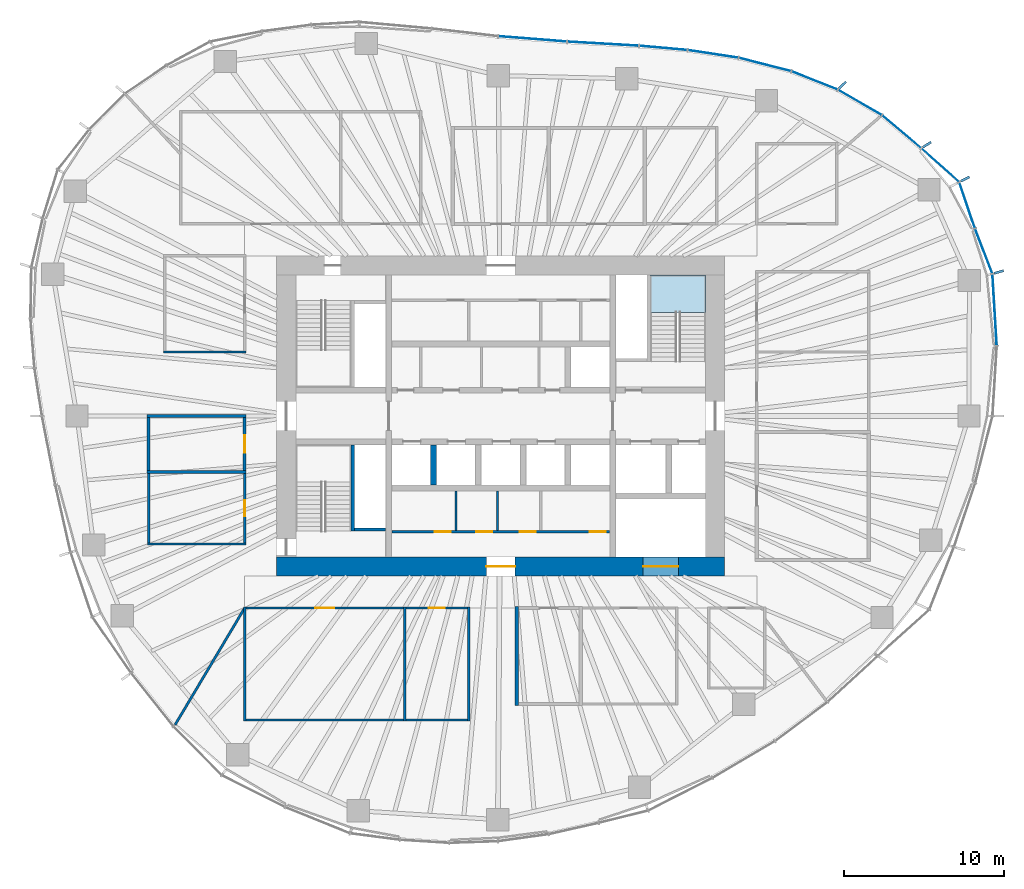
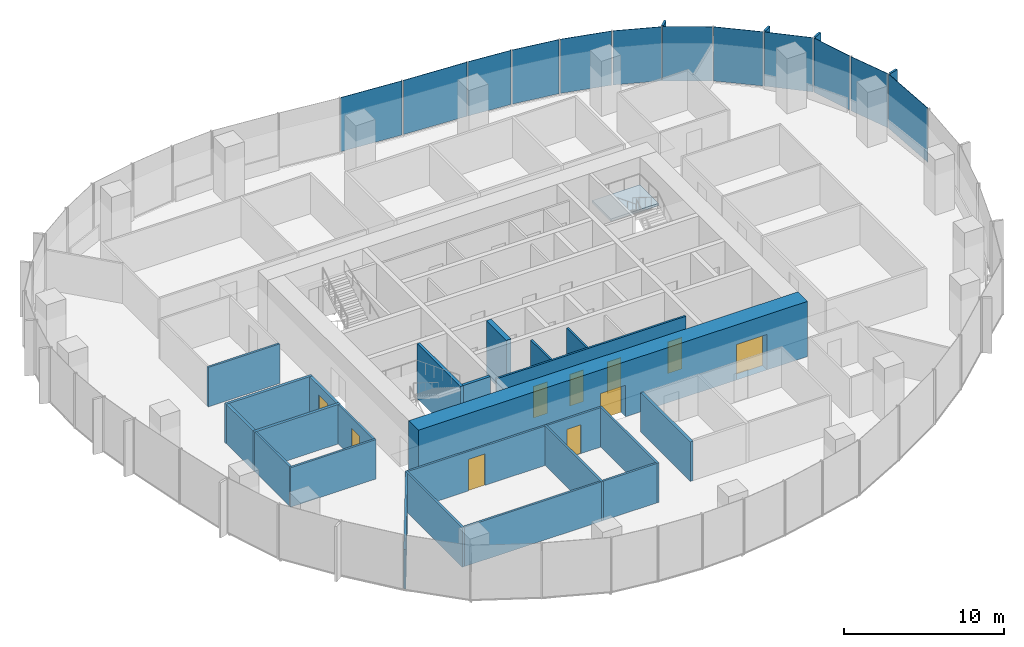
# One storey, part 8 of 18: 24 walls, 16 plates, 10 doors, 1 slab, 10 openings, 6 elements without a shape of their own.
"""IFC4 building model written with IfcOpenShell, lengths in metres."""

from ifc_helpers import new_model, si_unit, direction, frame, frame_2d, origin, origin_2d, place, context, subcontext, project, spatial, polyline, rectangle, outline, extrude, material, layer, layer_set, type_object, element, fill, aggregate, save


model = new_model("IFC4")

# Units and contexts
model_context = context("Model", 3, precision=1e-05, world=origin(), true_north=direction((0.0, 1.0)))
body_context = subcontext(model_context, "Body", "Model", "MODEL_VIEW")
ifc_project = project(units=[si_unit("LENGTHUNIT", "METRE"), si_unit("AREAUNIT", "SQUARE_METRE"), si_unit("VOLUMEUNIT", "CUBIC_METRE"), si_unit("PLANEANGLEUNIT", "RADIAN"), si_unit("MASSUNIT", "GRAM", prefix="KILO")], contexts=[model_context])

# Site, building, storey
site_placement = place(None, origin())
site = spatial("IfcSite", under=ifc_project, at=site_placement, CompositionType="ELEMENT")
building_placement = place(site_placement, origin())
building = spatial("IfcBuilding", under=site, at=building_placement, Name="Ghaith Harvest Tower", CompositionType="ELEMENT")
storey_placement = place(building_placement, frame((0.0, 0.0, 163.800048828125)))
storey = spatial("IfcBuildingStorey", under=building, at=storey_placement, Name="L35", CompositionType="ELEMENT", Elevation=163.800048828125)

# Curtain wall, plate
ifc_material_1 = material(Name="Black anodised aluminium and fritted glass", Category="aluminium")
curtain_wall_type = type_object("IfcCurtainWallType", Name="CW-L CURTAIN WALL", PredefinedType="NOTDEFINED", material=ifc_material_1)
curtain_wall_1_placement = place(storey_placement, origin())
curtain_wall_1 = element("IfcCurtainWall", 1, at=curtain_wall_1_placement, inside=storey, type_object=curtain_wall_type, Name="Curtain wall CW-L bay 01 L35", PredefinedType="NOTDEFINED")
ifc_material_2 = material(Name="Glass, dark solar-control fritted double glazed unit", Category="glass")
ifc_layer_1 = layer(ifc_material_2, 0.031982421875)
ifc_layer_set_1 = layer_set([ifc_layer_1], Name="CW-L VISION PANEL")
plate_type_1 = type_object("IfcPlateType", Name="CW-L VISION PANEL", PredefinedType="CURTAIN_PANEL", material=ifc_layer_set_1)
plate_1_placement = place(storey_placement, frame((30.863037109375, 6.63525390625, 0.079833984375), z_axis=(0.0, 0.0, 1.0), x_axis=(-0.060320650032, 0.998179051663, 0.0)))
plate_1 = element("IfcPlate", 2, at=plate_1_placement, type_object=plate_type_1, Name="CW-L glass unit 2 bay 01 L35", PredefinedType="CURTAIN_PANEL", context=body_context, shape_type="SweptSolid", body=[
    extrude(rectangle(XDim=4.419189453125, YDim=0.031982421875, at=origin_2d()), origin(), (0.0, 0.0, 1.0), 4.1201171875),
])
aggregate(curtain_wall_1, [plate_1])

# Curtain wall, plates
curtain_wall_2_placement = place(storey_placement, origin())
curtain_wall_2 = element("IfcCurtainWall", 3, at=curtain_wall_2_placement, inside=storey, type_object=curtain_wall_type, Name="Curtain wall CW-L bay 02 L35", PredefinedType="NOTDEFINED")
plate_2_placement = place(storey_placement, frame((30.180908203125, 10.29833984375, 0.079833984375), z_axis=(0.0, 0.0, 1.0), x_axis=(-0.359676824997, 0.933076943001, 0.0)))
plate_2 = element("IfcPlate", 4, at=plate_2_placement, type_object=plate_type_1, Name="CW-L glass unit 1 bay 02 L35", PredefinedType="CURTAIN_PANEL", context=body_context, shape_type="SweptSolid", body=[
    extrude(rectangle(XDim=2.95849609375, YDim=0.031982421875, at=origin_2d()), origin(), (0.0, 0.0, 1.0), 4.1201171875),
])
plate_3_placement = place(storey_placement, frame((29.142333984375, 13.163818359375, 0.079833984375), z_axis=(0.0, 0.0, 1.0), x_axis=(-0.321853304376, 0.946789549194, 0.0)))
plate_3 = element("IfcPlate", 5, at=plate_3_placement, type_object=plate_type_1, Name="CW-L glass unit 2 bay 02 L35", PredefinedType="CURTAIN_PANEL", context=body_context, shape_type="SweptSolid", body=[
    extrude(rectangle(XDim=2.978759765625, YDim=0.031982421875, at=origin_2d()), origin(), (0.0, 0.0, 1.0), 4.1201171875),
])
plate_4_placement = place(storey_placement, frame((27.46533203125, 15.668701171875, 0.079833984375), z_axis=(0.0, 0.0, 1.0), x_axis=(-0.746250544556, 0.665665174656, 0.0)))
plate_4 = element("IfcPlate", 6, at=plate_4_placement, type_object=plate_type_1, Name="CW-L glass unit 3 bay 02 L35", PredefinedType="CURTAIN_PANEL", context=body_context, shape_type="SweptSolid", body=[
    extrude(rectangle(XDim=3.094970703125, YDim=0.031982421875, at=origin_2d()), origin(), (0.0, 0.0, 1.0), 4.1201171875),
])
aggregate(curtain_wall_2, [plate_2, plate_3, plate_4])

curtain_wall_3_placement = place(storey_placement, origin())
curtain_wall_3 = element("IfcCurtainWall", 7, at=curtain_wall_3_placement, inside=storey, type_object=curtain_wall_type, Name="Curtain wall CW-L bay 03 L35", PredefinedType="NOTDEFINED")
plate_5_placement = place(storey_placement, frame((25.05126953125, 17.7587890625, 0.079833984375), z_axis=(0.0, 0.0, 1.0), x_axis=(-0.765473064857, 0.643467937801, 0.0)))
plate_5 = element("IfcPlate", 8, at=plate_5_placement, type_object=plate_type_1, Name="CW-L glass unit 1 bay 03 L35", PredefinedType="CURTAIN_PANEL", context=body_context, shape_type="SweptSolid", body=[
    extrude(rectangle(XDim=3.13232421875, YDim=0.031982421875, at=origin_2d()), origin(), (0.0, 0.0, 1.0), 4.1201171875),
])
plate_6_placement = place(storey_placement, frame((22.444091796875, 19.590576171875, 0.079833984375), z_axis=(0.0, 0.0, 1.0), x_axis=(-0.865232087993, 0.501371552751, 0.0)))
plate_6 = element("IfcPlate", 9, at=plate_6_placement, type_object=plate_type_1, Name="CW-L glass unit 2 bay 03 L35", PredefinedType="CURTAIN_PANEL", context=body_context, shape_type="SweptSolid", body=[
    extrude(rectangle(XDim=3.10498046875, YDim=0.031982421875, at=origin_2d()), origin(), (0.0, 0.0, 1.0), 4.1201171875),
])
plate_7_placement = place(storey_placement, frame((19.6142578125, 20.963623046875, 0.079833984375), z_axis=(0.0, 0.0, 1.0), x_axis=(-0.929876534019, 0.367871759558, 0.0)))
plate_7 = element("IfcPlate", 10, at=plate_7_placement, type_object=plate_type_1, Name="CW-L glass unit 3 bay 03 L35", PredefinedType="CURTAIN_PANEL", context=body_context, shape_type="SweptSolid", body=[
    extrude(rectangle(XDim=3.042724609375, YDim=0.031982421875, at=origin_2d()), origin(), (0.0, 0.0, 1.0), 4.1201171875),
])
aggregate(curtain_wall_3, [plate_5, plate_6, plate_7])

curtain_wall_4_placement = place(storey_placement, origin())
curtain_wall_4 = element("IfcCurtainWall", 11, at=curtain_wall_4_placement, inside=storey, type_object=curtain_wall_type, Name="Curtain wall CW-L bay 04 L35", PredefinedType="NOTDEFINED")
plate_8_placement = place(storey_placement, frame((16.513427734375, 21.958740234375, 0.079833984375), z_axis=(0.0, 0.0, 1.0), x_axis=(-0.96893110987, 0.247330758955, 0.0)))
plate_8 = element("IfcPlate", 12, at=plate_8_placement, type_object=plate_type_1, Name="CW-L glass unit 1 bay 04 L35", PredefinedType="CURTAIN_PANEL", context=body_context, shape_type="SweptSolid", body=[
    extrude(rectangle(XDim=3.3232421875, YDim=0.031982421875, at=origin_2d()), origin(), (0.0, 0.0, 1.0), 4.1201171875),
])
plate_9_placement = place(storey_placement, frame((13.2685546875, 22.621826171875, 0.079833984375), z_axis=(0.0, 0.0, 1.0), x_axis=(-0.988678736369, 0.150047846542, 0.0)))
plate_9 = element("IfcPlate", 13, at=plate_9_placement, type_object=plate_type_1, Name="CW-L glass unit 2 bay 04 L35", PredefinedType="CURTAIN_PANEL", context=body_context, shape_type="SweptSolid", body=[
    extrude(rectangle(XDim=3.14892578125, YDim=0.031982421875, at=origin_2d()), origin(), (0.0, 0.0, 1.0), 4.1201171875),
])
plate_10_placement = place(storey_placement, frame((10.15966796875, 22.9970703125, 0.079833984375), z_axis=(0.0, 0.0, 1.0), x_axis=(-0.996166190972, 0.087480969151, 0.0)))
plate_10 = element("IfcPlate", 14, at=plate_10_placement, type_object=plate_type_1, Name="CW-L glass unit 3 bay 04 L35", PredefinedType="CURTAIN_PANEL", context=body_context, shape_type="SweptSolid", body=[
    extrude(rectangle(XDim=2.957275390625, YDim=0.031982421875, at=origin_2d()), origin(), (0.0, 0.0, 1.0), 4.1201171875),
])
aggregate(curtain_wall_4, [plate_8, plate_9, plate_10])

curtain_wall_5_placement = place(storey_placement, origin())
curtain_wall_5 = element("IfcCurtainWall", 15, at=curtain_wall_5_placement, inside=storey, type_object=curtain_wall_type, Name="Curtain wall CW-L bay 05 L35", PredefinedType="NOTDEFINED")
plate_11_placement = place(storey_placement, frame((6.396728515625, 23.260498046875, 0.079833984375), z_axis=(0.0, 0.0, 1.0), x_axis=(-0.998320798751, 0.05792739233, 0.0)))
plate_11 = element("IfcPlate", 16, at=plate_11_placement, type_object=plate_type_1, Name="CW-L glass unit 1 bay 05 L35", PredefinedType="CURTAIN_PANEL", context=body_context, shape_type="SweptSolid", body=[
    extrude(rectangle(XDim=4.427734375, YDim=0.031982421875, at=origin_2d()), origin(), (0.0, 0.0, 1.0), 4.1201171875),
])
plate_12_placement = place(storey_placement, frame((1.9921875, 23.560302734375, 0.079833984375), z_axis=(0.0, 0.0, 1.0), x_axis=(-0.996925121312, 0.078360082291, 0.0)))
plate_12 = element("IfcPlate", 17, at=plate_12_placement, type_object=plate_type_1, Name="CW-L glass unit 2 bay 05 L35", PredefinedType="CURTAIN_PANEL", context=body_context, shape_type="SweptSolid", body=[
    extrude(rectangle(XDim=4.242431640625, YDim=0.031982421875, at=origin_2d()), origin(), (0.0, 0.0, 1.0), 4.1201171875),
])
aggregate(curtain_wall_5, [plate_11, plate_12])

# Stair, slab
ifc_material_3 = material(Name="Concrete C40/50, precast", Category="concrete")
stair_type = type_object("IfcStairType", Name="CORE STAIR 24R", PredefinedType="HALF_TURN_STAIR", material=ifc_material_3)
stair_placement = place(storey_placement, origin())
stair = element("IfcStair", 18, at=stair_placement, inside=storey, type_object=stair_type, Name="Stair ST2 L35", PredefinedType="HALF_TURN_STAIR")
ifc_material_4 = material(Name="Concrete C40/50, precast", Category="concrete")
ifc_layer_2 = layer(ifc_material_4, 0.179931640625)
ifc_layer_set_2 = layer_set([ifc_layer_2], Name="STAIR LANDING 180")
slab_type = type_object("IfcSlabType", Name="STAIR LANDING 180", PredefinedType="LANDING", material=ifc_layer_set_2)
slab_placement = place(storey_placement, frame((0.0, 0.0, 1.919921875)))
slab = element("IfcSlab", 19, at=slab_placement, type_object=slab_type, Name="ST2 landing 1", PredefinedType="LANDING", context=body_context, shape_type="SweptSolid", body=[
    extrude(outline(polyline([(12.800048828125, 6.4599609375), (12.800048828125, 8.800048828125), (9.35009765625, 8.800048828125), (9.35009765625, 6.4599609375), (12.800048828125, 6.4599609375)])), origin(), (0.0, 0.0, 1.0), 0.179931640625),
])
aggregate(stair, [slab])

# Plates
ifc_material_5 = material(Name="Glassfibre-reinforced concrete", Category="concrete")
ifc_layer_3 = layer(ifc_material_5, 0.14990234375)
ifc_layer_set_3 = layer_set([ifc_layer_3], Name="SUN-BREAKER FIN 600x150")
plate_type_2 = type_object("IfcPlateType", Name="SUN-BREAKER FIN 600x150", PredefinedType="USERDEFINED", material=ifc_layer_set_3)
for number, where, z_axis, x_axis, name in (
    (20, (31.130859375, 8.99755859375, 0.0), (0.0, 0.0, 1.0), (0.960680349985, 0.277656739792, 0.0), "Sun-breaker fin CW-L 1 bay 02 L35"),
    (21, (29.024169921875, 14.802734375, 0.0), (0.0, 0.0, 1.0), (0.890830752257, 0.454335306611, 0.0), "Sun-breaker fin CW-L 3 bay 02 L35"),
    (22, (26.635009765625, 16.95068359375, 0.0), (0.0, 0.0, 1.0), (0.843643971464, 0.536903016766, 0.0), "Sun-breaker fin CW-L 1 bay 03 L35"),
    (23, (21.367919921875, 20.68115234375, 0.0), (0.0, 0.0, 1.0), (0.7185589652, 0.69546604053, 0.0), "Sun-breaker fin CW-L 3 bay 03 L35"),
):
    element("IfcPlate", number, at=place(storey_placement, frame(where, z_axis=z_axis, x_axis=x_axis)), inside=storey, type_object=plate_type_2, Name=name, ObjectType="SUN-BREAKER FIN", PredefinedType="USERDEFINED", context=body_context, shape_type="SweptSolid", body=[
        extrude(rectangle(XDim=0.60009765625, YDim=0.14990234375, at=origin_2d()), origin(), (0.0, 0.0, 1.0), 4.199951171875),
    ])

# Walls
ifc_material_6 = material(Name="Twin-stud gypsum board, acoustic", Category="gypsum")
ifc_layer_4 = layer(ifc_material_6, 0.199951171875)
ifc_layer_set_4 = layer_set([ifc_layer_4], Name="ACOUSTIC PARTITION 200")
wall_type_1 = type_object("IfcWallType", Name="ACOUSTIC PARTITION 200", PredefinedType="PARTITIONING", material=ifc_layer_set_4)
for number, where, z_axis, x_axis, name in (
    (24, (1.0, -11.89990234375, 0.0), (0.0, 0.0, 1.0), (0.0, -1.0, 0.0), "Partition L35 row S2 cross wall 1"),
    (25, (-15.89990234375, -3.5, 0.0), (0.0, 0.0, 1.0), (-1.0, 0.0, 0.0), "Partition L35 row W6 cross wall 2"),
    (26, (-15.89990234375, 0.0, 0.0), (0.0, 0.0, 1.0), (-1.0, 0.0, 0.0), "Partition L35 row W6 cross wall 3"),
):
    element("IfcWall", number, at=place(storey_placement, frame(where, z_axis=z_axis, x_axis=x_axis)), inside=storey, type_object=wall_type_1, Name=name, PredefinedType="PARTITIONING", context=body_context, shape_type="SweptSolid", body=[
        extrude(rectangle(XDim=6.2001953125, YDim=0.199951171875, at=frame_2d((3.10009765625, 0.0))), origin(), (0.0, 0.0, 1.0), 3.0),
    ])

# Wall, opening, door
wall_1_placement = place(storey_placement, frame((-16.0, -3.39990234375, 0.0), z_axis=(0.0, 0.0, 1.0), x_axis=(0.0, 1.0, 0.0)))
wall_1 = element("IfcWall", 27, at=wall_1_placement, inside=storey, type_object=wall_type_1, Name="Partition L35-14", PredefinedType="PARTITIONING", context=body_context, shape_type="SweptSolid", body=[
    extrude(rectangle(XDim=3.2998046875, YDim=0.199951171875, at=frame_2d((1.64990234375, 0.0))), origin(), (0.0, 0.0, 1.0), 3.0),
])
opening_1_placement = place(wall_1_placement, frame((1.10009765625, 0.0, 0.0)))
opening_1 = element("IfcOpeningElement", 28, at=opening_1_placement, cuts=wall_1, Name="Opening 35-042", PredefinedType="OPENING", context=body_context, shape_type="SweptSolid", body=[
    extrude(rectangle(XDim=1.10009765625, YDim=2.300048828125, at=frame_2d((0.550048828125, 1.14990234375))), frame((0.0, 0.10986328125, 0.0), z_axis=(0.0, -1.0, 0.0), x_axis=(1.0, 0.0, 0.0)), (0.0, 0.0, 1.0), 0.219970703125),
])
ifc_material_7 = material(Name="Timber-framed glazed door", Category="wood")
door_type_1 = type_object("IfcDoorType", Name="D12 GLAZED OFFICE 1100x2300", OperationType="SINGLE_SWING_LEFT", PredefinedType="DOOR", material=ifc_material_7)
door_1_placement = place(opening_1_placement, origin())
door_1 = element("IfcDoor", 29, at=door_1_placement, inside=storey, type_object=door_type_1, Name="Quiet room door", OperationType="SINGLE_SWING_LEFT", OverallHeight=2.300048828125, OverallWidth=1.10009765625, PredefinedType="DOOR", context=body_context, shape_type="SweptSolid", body=[
    extrude(rectangle(XDim=1.10009765625, YDim=2.300048828125, at=frame_2d((0.550048828125, 1.14990234375))), frame((0.0, 0.02490234375, 0.0), z_axis=(0.0, -1.0, 0.0), x_axis=(1.0, 0.0, 0.0)), (0.0, 0.0, 1.0), 0.050048828125),
])
fill(opening_1, door_1)

# Wall
wall_2_placement = place(storey_placement, frame((-22.0, -3.39990234375, 0.0), z_axis=(0.0, 0.0, 1.0), x_axis=(0.0, 1.0, 0.0)))
element("IfcWall", 30, at=wall_2_placement, inside=storey, type_object=wall_type_1, Name="Partition L35-14", PredefinedType="PARTITIONING", context=body_context, shape_type="SweptSolid", body=[
    extrude(rectangle(XDim=3.2998046875, YDim=0.199951171875, at=frame_2d((1.64990234375, 0.0))), origin(), (0.0, 0.0, 1.0), 3.0),
])

# Wall, openings, doors
ifc_material_8 = material(Name="Concrete blockwork, fair-faced", Category="masonry")
ifc_layer_5 = layer(ifc_material_8, 0.139892578125)
ifc_layer_set_5 = layer_set([ifc_layer_5], Name="CORE PARTITION 140")
wall_type_2 = type_object("IfcWallType", Name="CORE PARTITION 140", PredefinedType="PARTITIONING", material=ifc_layer_set_5)
wall_3_placement = place(storey_placement, frame((-6.800048828125, -7.22998046875, 0.0), z_axis=(0.0, 0.0, 1.0), x_axis=(1.0, 0.0, 0.0)))
wall_3 = element("IfcWall", 31, at=wall_3_placement, inside=storey, type_object=wall_type_2, Name="Core partition L35", PredefinedType="PARTITIONING", context=body_context, shape_type="SweptSolid", body=[
    extrude(rectangle(XDim=13.60009765625, YDim=0.139892578125, at=frame_2d((6.800048828125, 0.0))), origin(), (0.0, 0.0, 1.0), 3.949951171875),
])
opening_2_placement = place(wall_3_placement, frame((2.679931640625, 0.0, 0.0)))
opening_2 = element("IfcOpeningElement", 32, at=opening_2_placement, cuts=wall_3, Name="Opening 35-012", PredefinedType="OPENING", context=body_context, shape_type="SweptSolid", body=[
    extrude(rectangle(XDim=1.0, YDim=2.39990234375, at=frame_2d((0.5, 1.199951171875))), frame((0.0, 0.080078125, 0.0), z_axis=(0.0, -1.0, 0.0), x_axis=(1.0, 0.0, 0.0)), (0.0, 0.0, 1.0), 0.159912109375),
])
opening_3_placement = place(wall_3_placement, frame((5.280029296875, 0.0, 0.0)))
opening_3 = element("IfcOpeningElement", 33, at=opening_3_placement, cuts=wall_3, Name="Opening 35-013", PredefinedType="OPENING", context=body_context, shape_type="SweptSolid", body=[
    extrude(rectangle(XDim=1.0, YDim=2.39990234375, at=frame_2d((0.5, 1.199951171875))), frame((0.0, 0.080078125, 0.0), z_axis=(0.0, -1.0, 0.0), x_axis=(1.0, 0.0, 0.0)), (0.0, 0.0, 1.0), 0.159912109375),
])
opening_4_placement = place(wall_3_placement, frame((7.97998046875, 0.0, 0.0)))
opening_4 = element("IfcOpeningElement", 34, at=opening_4_placement, cuts=wall_3, Name="Opening 35-014", PredefinedType="OPENING", context=body_context, shape_type="SweptSolid", body=[
    extrude(rectangle(XDim=1.0, YDim=2.39990234375, at=frame_2d((0.5, 1.199951171875))), frame((0.0, 0.080078125, 0.0), z_axis=(0.0, -1.0, 0.0), x_axis=(1.0, 0.0, 0.0)), (0.0, 0.0, 1.0), 0.159912109375),
])
opening_5_placement = place(wall_3_placement, frame((12.35009765625, 0.0, 0.0)))
opening_5 = element("IfcOpeningElement", 35, at=opening_5_placement, cuts=wall_3, Name="Opening 35-015", PredefinedType="OPENING", context=body_context, shape_type="SweptSolid", body=[
    extrude(rectangle(XDim=1.0, YDim=2.39990234375, at=frame_2d((0.5, 1.199951171875))), frame((0.0, 0.080078125, 0.0), z_axis=(0.0, -1.0, 0.0), x_axis=(1.0, 0.0, 0.0)), (0.0, 0.0, 1.0), 0.159912109375),
])
ifc_material_9 = material(Name="Steel fire door", Category="steel")
door_type_2 = type_object("IfcDoorType", Name="D3 FD90 1000x2400", OperationType="SINGLE_SWING_LEFT", PredefinedType="DOOR", material=ifc_material_9)
door_2_placement = place(opening_2_placement, origin())
door_2 = element("IfcDoor", 36, at=door_2_placement, inside=storey, type_object=door_type_2, Name="Electrical room door", OperationType="SINGLE_SWING_LEFT", OverallHeight=2.39990234375, OverallWidth=1.0, PredefinedType="DOOR", context=body_context, shape_type="SweptSolid", body=[
    extrude(rectangle(XDim=1.0, YDim=2.39990234375, at=frame_2d((0.5, 1.199951171875))), frame((0.0, 0.02490234375, 0.0), z_axis=(0.0, -1.0, 0.0), x_axis=(1.0, 0.0, 0.0)), (0.0, 0.0, 1.0), 0.050048828125),
])
fill(opening_2, door_2)
door_3_placement = place(opening_3_placement, origin())
door_3 = element("IfcDoor", 37, at=door_3_placement, inside=storey, type_object=door_type_2, Name="Communications equipment room door", OperationType="SINGLE_SWING_LEFT", OverallHeight=2.39990234375, OverallWidth=1.0, PredefinedType="DOOR", context=body_context, shape_type="SweptSolid", body=[
    extrude(rectangle(XDim=1.0, YDim=2.39990234375, at=frame_2d((0.5, 1.199951171875))), frame((0.0, 0.02490234375, 0.0), z_axis=(0.0, -1.0, 0.0), x_axis=(1.0, 0.0, 0.0)), (0.0, 0.0, 1.0), 0.050048828125),
])
fill(opening_3, door_3)
door_4_placement = place(opening_4_placement, origin())
door_4 = element("IfcDoor", 38, at=door_4_placement, inside=storey, type_object=door_type_2, Name="Staff WC door", OperationType="SINGLE_SWING_RIGHT", OverallHeight=2.39990234375, OverallWidth=1.0, PredefinedType="DOOR", context=body_context, shape_type="SweptSolid", body=[
    extrude(rectangle(XDim=1.0, YDim=2.39990234375, at=frame_2d((0.5, 1.199951171875))), frame((0.0, 0.02490234375, 0.0), z_axis=(0.0, -1.0, 0.0), x_axis=(1.0, 0.0, 0.0)), (0.0, 0.0, 1.0), 0.050048828125),
])
fill(opening_4, door_4)
door_5_placement = place(opening_5_placement, origin())
door_5 = element("IfcDoor", 39, at=door_5_placement, inside=storey, type_object=door_type_2, Name="Riser room door", OperationType="SINGLE_SWING_RIGHT", OverallHeight=2.39990234375, OverallWidth=1.0, PredefinedType="DOOR", context=body_context, shape_type="SweptSolid", body=[
    extrude(rectangle(XDim=1.0, YDim=2.39990234375, at=frame_2d((0.5, 1.199951171875))), frame((0.0, 0.02490234375, 0.0), z_axis=(0.0, -1.0, 0.0), x_axis=(1.0, 0.0, 0.0)), (0.0, 0.0, 1.0), 0.050048828125),
])
fill(opening_5, door_5)

# Walls
for number, where, z_axis, x_axis, name in (
    (40, (-2.800048828125, -4.699951171875, 0.0), (0.0, 0.0, 1.0), (0.0, -1.0, 0.0), "Core partition L35"),
    (41, (-0.199951171875, -4.699951171875, 0.0), (0.0, 0.0, 1.0), (0.0, -1.0, 0.0), "Core partition L35"),
):
    element("IfcWall", number, at=place(storey_placement, frame(where, z_axis=z_axis, x_axis=x_axis)), inside=storey, type_object=wall_type_2, Name=name, PredefinedType="PARTITIONING", context=body_context, shape_type="SweptSolid", body=[
        extrude(rectangle(XDim=2.4599609375, YDim=0.139892578125, at=frame_2d((1.22998046875, 0.0))), origin(), (0.0, 0.0, 1.0), 3.949951171875),
    ])

# Wall, openings, doors
ifc_material_10 = material(Name="Concrete C60/75", Category="concrete")
ifc_layer_6 = layer(ifc_material_10, 1.199951171875)
ifc_layer_set_6 = layer_set([ifc_layer_6], Name="CORE WALL CW1200 C60")
wall_type_3 = type_object("IfcWallType", Name="CORE WALL CW1200 C60", PredefinedType="SHEAR", material=ifc_layer_set_6)
wall_4_placement = place(storey_placement, frame((-14.0, -9.39990234375, 0.0), z_axis=(0.0, 0.0, 1.0), x_axis=(1.0, 0.0, 0.0)))
wall_4 = element("IfcWall", 42, at=wall_4_placement, inside=storey, type_object=wall_type_3, Name="Core wall S L35", PredefinedType="SHEAR", context=body_context, shape_type="SweptSolid", body=[
    extrude(rectangle(XDim=28.0, YDim=1.199951171875, at=frame_2d((14.0, 0.0))), origin(), (0.0, 0.0, 1.0), 4.199951171875),
])
opening_6_placement = place(wall_4_placement, frame((13.10009765625, 0.0, 0.0)))
opening_6 = element("IfcOpeningElement", 43, at=opening_6_placement, cuts=wall_4, Name="Opening 35-021", PredefinedType="OPENING", context=body_context, shape_type="SweptSolid", body=[
    extrude(rectangle(XDim=1.800048828125, YDim=2.39990234375, at=frame_2d((0.89990234375, 1.199951171875))), frame((0.0, 0.60986328125, 0.0), z_axis=(0.0, -1.0, 0.0), x_axis=(1.0, 0.0, 0.0)), (0.0, 0.0, 1.0), 1.219970703125),
])
opening_7_placement = place(wall_4_placement, frame((22.89990234375, 0.0, 0.0)))
opening_7 = element("IfcOpeningElement", 44, at=opening_7_placement, cuts=wall_4, Name="Opening 35-028", PredefinedType="OPENING", context=body_context, shape_type="SweptSolid", body=[
    extrude(rectangle(XDim=2.199951171875, YDim=2.699951171875, at=frame_2d((1.10009765625, 1.35009765625))), frame((0.0, 0.60986328125, 0.0), z_axis=(0.0, -1.0, 0.0), x_axis=(1.0, 0.0, 0.0)), (0.0, 0.0, 1.0), 1.219970703125),
])
ifc_material_11 = material(Name="Steel fire door", Category="steel")
door_type_3 = type_object("IfcDoorType", Name="D4 FD90 PAIR 1800x2400", OperationType="DOUBLE_DOOR_SINGLE_SWING", PredefinedType="DOOR", material=ifc_material_11)
door_6_placement = place(opening_6_placement, origin())
door_6 = element("IfcDoor", 45, at=door_6_placement, inside=storey, type_object=door_type_3, Name="Core service corridor doors", OperationType="DOUBLE_DOOR_SINGLE_SWING", OverallHeight=2.39990234375, OverallWidth=1.800048828125, PredefinedType="DOOR", context=body_context, shape_type="SweptSolid", body=[
    extrude(rectangle(XDim=1.800048828125, YDim=2.39990234375, at=frame_2d((0.89990234375, 1.199951171875))), frame((0.0, 0.02490234375, 0.0), z_axis=(0.0, -1.0, 0.0), x_axis=(1.0, 0.0, 0.0)), (0.0, 0.0, 1.0), 0.050048828125),
])
fill(opening_6, door_6)
ifc_material_12 = material(Name="Steel fire door", Category="steel")
door_type_4 = type_object("IfcDoorType", Name="LD3 LANDING 2200x2700", OperationType="DOUBLE_DOOR_SLIDING", PredefinedType="DOOR", material=ifc_material_12)
door_7_placement = place(opening_7_placement, origin())
door_7 = element("IfcDoor", 46, at=door_7_placement, inside=storey, type_object=door_type_4, Name="Landing door, goods lift GL1", OperationType="DOUBLE_DOOR_SLIDING", OverallHeight=2.699951171875, OverallWidth=2.199951171875, PredefinedType="DOOR", context=body_context, shape_type="SweptSolid", body=[
    extrude(rectangle(XDim=2.199951171875, YDim=2.699951171875, at=frame_2d((1.10009765625, 1.35009765625))), frame((0.0, 0.02490234375, 0.0), z_axis=(0.0, -1.0, 0.0), x_axis=(1.0, 0.0, 0.0)), (0.0, 0.0, 1.0), 0.050048828125),
])
fill(opening_7, door_7)

# Walls
ifc_material_13 = material(Name="Gypsum board on steel studs", Category="steel")
ifc_layer_7 = layer(ifc_material_13, 0.14990234375)
ifc_layer_set_7 = layer_set([ifc_layer_7], Name="PARTITION 150")
wall_type_4 = type_object("IfcWallType", Name="PARTITION 150", PredefinedType="PARTITIONING", material=ifc_layer_set_7)
for number, where, z_axis, x_axis, name in (
    (47, (-16.0, -11.925048828125, 0.0), (0.0, 0.0, 1.0), (0.0, -1.0, 0.0), "Partition L35 row S1 cross wall 1"),
    (48, (-6.0, -11.925048828125, 0.0), (0.0, 0.0, 1.0), (0.0, -1.0, 0.0), "Partition L35 row S1 cross wall 2"),
    (49, (-2.0, -11.925048828125, 0.0), (0.0, 0.0, 1.0), (0.0, -1.0, 0.0), "Partition L35 row S1 cross wall 3"),
):
    element("IfcWall", number, at=place(storey_placement, frame(where, z_axis=z_axis, x_axis=x_axis)), inside=storey, type_object=wall_type_4, Name=name, PredefinedType="PARTITIONING", context=body_context, shape_type="SweptSolid", body=[
        extrude(rectangle(XDim=7.14990234375, YDim=0.14990234375, at=frame_2d((3.574951171875, 0.0))), origin(), (0.0, 0.0, 1.0), 3.0),
    ])

# Wall, opening, door
wall_5_placement = place(storey_placement, frame((-15.925048828125, -12.0, 0.0), z_axis=(0.0, 0.0, 1.0), x_axis=(1.0, 0.0, 0.0)))
wall_5 = element("IfcWall", 50, at=wall_5_placement, inside=storey, type_object=wall_type_4, Name="Partition L35-01", PredefinedType="PARTITIONING", context=body_context, shape_type="SweptSolid", body=[
    extrude(rectangle(XDim=9.85009765625, YDim=0.14990234375, at=frame_2d((4.925048828125, 0.0))), origin(), (0.0, 0.0, 1.0), 3.0),
])
opening_8_placement = place(wall_5_placement, frame((4.324951171875, 0.0, 0.0)))
opening_8 = element("IfcOpeningElement", 51, at=opening_8_placement, cuts=wall_5, Name="Opening 35-029", PredefinedType="OPENING", context=body_context, shape_type="SweptSolid", body=[
    extrude(rectangle(XDim=1.199951171875, YDim=2.39990234375, at=frame_2d((0.60009765625, 1.199951171875))), frame((0.0, 0.0849609375, 0.0), z_axis=(0.0, -1.0, 0.0), x_axis=(1.0, 0.0, 0.0)), (0.0, 0.0, 1.0), 0.169921875),
])
ifc_material_14 = material(Name="Timber door", Category="wood")
door_type_5 = type_object("IfcDoorType", Name="D11 GLAZED 1200x2400", OperationType="SINGLE_SWING_LEFT", PredefinedType="DOOR", material=ifc_material_14)
door_8_placement = place(opening_8_placement, origin())
door_8 = element("IfcDoor", 52, at=door_8_placement, inside=storey, type_object=door_type_5, Name="Design studio door", OperationType="SINGLE_SWING_LEFT", OverallHeight=2.39990234375, OverallWidth=1.199951171875, PredefinedType="DOOR", context=body_context, shape_type="SweptSolid", body=[
    extrude(rectangle(XDim=1.199951171875, YDim=2.39990234375, at=frame_2d((0.60009765625, 1.199951171875))), frame((0.0, 0.02490234375, 0.0), z_axis=(0.0, -1.0, 0.0), x_axis=(1.0, 0.0, 0.0)), (0.0, 0.0, 1.0), 0.050048828125),
])
fill(opening_8, door_8)

# Wall
wall_6_placement = place(storey_placement, frame((-15.925048828125, -19.0, 0.0), z_axis=(0.0, 0.0, 1.0), x_axis=(1.0, 0.0, 0.0)))
element("IfcWall", 53, at=wall_6_placement, inside=storey, type_object=wall_type_4, Name="Partition L35-01", PredefinedType="PARTITIONING", context=body_context, shape_type="SweptSolid", body=[
    extrude(rectangle(XDim=9.85009765625, YDim=0.14990234375, at=frame_2d((4.925048828125, 0.0))), origin(), (0.0, 0.0, 1.0), 3.0),
])

# Wall, opening, door
wall_7_placement = place(storey_placement, frame((-5.925048828125, -12.0, 0.0), z_axis=(0.0, 0.0, 1.0), x_axis=(1.0, 0.0, 0.0)))
wall_7 = element("IfcWall", 54, at=wall_7_placement, inside=storey, type_object=wall_type_4, Name="Partition L35-02", PredefinedType="PARTITIONING", context=body_context, shape_type="SweptSolid", body=[
    extrude(rectangle(XDim=3.85009765625, YDim=0.14990234375, at=frame_2d((1.925048828125, 0.0))), origin(), (0.0, 0.0, 1.0), 3.0),
])
opening_9_placement = place(wall_7_placement, frame((1.425048828125, 0.0, 0.0)))
opening_9 = element("IfcOpeningElement", 55, at=opening_9_placement, cuts=wall_7, Name="Opening 35-030", PredefinedType="OPENING", context=body_context, shape_type="SweptSolid", body=[
    extrude(rectangle(XDim=1.0, YDim=2.199951171875, at=frame_2d((0.5, 1.10009765625))), frame((0.0, 0.0849609375, 0.0), z_axis=(0.0, -1.0, 0.0), x_axis=(1.0, 0.0, 0.0)), (0.0, 0.0, 1.0), 0.169921875),
])
ifc_material_15 = material(Name="Timber door", Category="wood")
door_type_6 = type_object("IfcDoorType", Name="D1 SINGLE 1000x2200", OperationType="SINGLE_SWING_LEFT", PredefinedType="DOOR", material=ifc_material_15)
door_9_placement = place(opening_9_placement, origin())
door_9 = element("IfcDoor", 56, at=door_9_placement, inside=storey, type_object=door_type_6, Name="Store door", OperationType="SINGLE_SWING_LEFT", OverallHeight=2.199951171875, OverallWidth=1.0, PredefinedType="DOOR", context=body_context, shape_type="SweptSolid", body=[
    extrude(rectangle(XDim=1.0, YDim=2.199951171875, at=frame_2d((0.5, 1.10009765625))), frame((0.0, 0.02490234375, 0.0), z_axis=(0.0, -1.0, 0.0), x_axis=(1.0, 0.0, 0.0)), (0.0, 0.0, 1.0), 0.050048828125),
])
fill(opening_9, door_9)

# Walls
wall_8_placement = place(storey_placement, frame((-5.925048828125, -19.0, 0.0), z_axis=(0.0, 0.0, 1.0), x_axis=(1.0, 0.0, 0.0)))
element("IfcWall", 57, at=wall_8_placement, inside=storey, type_object=wall_type_4, Name="Partition L35-02", PredefinedType="PARTITIONING", context=body_context, shape_type="SweptSolid", body=[
    extrude(rectangle(XDim=3.85009765625, YDim=0.14990234375, at=frame_2d((1.925048828125, 0.0))), origin(), (0.0, 0.0, 1.0), 3.0),
])
wall_9_placement = place(storey_placement, frame((-15.925048828125, -8.0, 0.0), z_axis=(0.0, 0.0, 1.0), x_axis=(-1.0, 0.0, 0.0)))
element("IfcWall", 58, at=wall_9_placement, inside=storey, type_object=wall_type_4, Name="Partition L35 row W6 cross wall 1", PredefinedType="PARTITIONING", context=body_context, shape_type="SweptSolid", body=[
    extrude(rectangle(XDim=6.14990234375, YDim=0.14990234375, at=frame_2d((3.074951171875, 0.0))), origin(), (0.0, 0.0, 1.0), 3.0),
])

# Wall, opening, door
wall_10_placement = place(storey_placement, frame((-16.0, -7.925048828125, 0.0), z_axis=(0.0, 0.0, 1.0), x_axis=(0.0, 1.0, 0.0)))
wall_10 = element("IfcWall", 59, at=wall_10_placement, inside=storey, type_object=wall_type_4, Name="Partition L35-13", PredefinedType="PARTITIONING", context=body_context, shape_type="SweptSolid", body=[
    extrude(rectangle(XDim=4.324951171875, YDim=0.14990234375, at=frame_2d((2.16259765625, 0.0))), origin(), (0.0, 0.0, 1.0), 3.0),
])
opening_10_placement = place(wall_10_placement, frame((1.66259765625, 0.0, 0.0)))
opening_10 = element("IfcOpeningElement", 60, at=opening_10_placement, cuts=wall_10, Name="Opening 35-041", PredefinedType="OPENING", context=body_context, shape_type="SweptSolid", body=[
    extrude(rectangle(XDim=1.0, YDim=2.199951171875, at=frame_2d((0.5, 1.10009765625))), frame((0.0, 0.0849609375, 0.0), z_axis=(0.0, -1.0, 0.0), x_axis=(1.0, 0.0, 0.0)), (0.0, 0.0, 1.0), 0.169921875),
])
door_10_placement = place(opening_10_placement, origin())
door_10 = element("IfcDoor", 61, at=door_10_placement, inside=storey, type_object=door_type_6, Name="Store door", OperationType="SINGLE_SWING_LEFT", OverallHeight=2.199951171875, OverallWidth=1.0, PredefinedType="DOOR", context=body_context, shape_type="SweptSolid", body=[
    extrude(rectangle(XDim=1.0, YDim=2.199951171875, at=frame_2d((0.5, 1.10009765625))), frame((0.0, 0.02490234375, 0.0), z_axis=(0.0, -1.0, 0.0), x_axis=(1.0, 0.0, 0.0)), (0.0, 0.0, 1.0), 0.050048828125),
])
fill(opening_10, door_10)

# Walls
wall_11_placement = place(storey_placement, frame((-22.0, -7.925048828125, 0.0), z_axis=(0.0, 0.0, 1.0), x_axis=(0.0, 1.0, 0.0)))
element("IfcWall", 62, at=wall_11_placement, inside=storey, type_object=wall_type_4, Name="Partition L35-13", PredefinedType="PARTITIONING", context=body_context, shape_type="SweptSolid", body=[
    extrude(rectangle(XDim=4.324951171875, YDim=0.14990234375, at=frame_2d((2.16259765625, 0.0))), origin(), (0.0, 0.0, 1.0), 3.0),
])
wall_12_placement = place(storey_placement, frame((-15.925048828125, 4.0, 0.0), z_axis=(0.0, 0.0, 1.0), x_axis=(-1.0, 0.0, 0.0)))
element("IfcWall", 63, at=wall_12_placement, inside=storey, type_object=wall_type_4, Name="Partition L35 row W9 cross wall 1", PredefinedType="PARTITIONING", context=body_context, shape_type="SweptSolid", body=[
    extrude(rectangle(XDim=5.14990234375, YDim=0.14990234375, at=frame_2d((2.574951171875, 0.0))), origin(), (0.0, 0.0, 1.0), 3.0),
])
wall_13_placement = place(storey_placement, frame((-16.02001953125, -12.03369140625, 0.0), z_axis=(0.0, 0.0, 1.0), x_axis=(-0.511518902153, -0.859272024879, 0.0)))
element("IfcWall", 64, at=wall_13_placement, inside=storey, type_object=wall_type_4, Name="Partition L35 zone division", PredefinedType="PARTITIONING", context=body_context, shape_type="SweptSolid", body=[
    extrude(rectangle(XDim=8.451416015625, YDim=0.14990234375, at=frame_2d((4.2255859375, 0.0))), origin(), (0.0, 0.0, 1.0), 3.0),
])
ifc_material_16 = material(Name="Concrete C60/75", Category="concrete")
ifc_layer_8 = layer(ifc_material_16, 0.35009765625)
ifc_layer_set_8 = layer_set([ifc_layer_8], Name="SHAFT WALL 350")
wall_type_5 = type_object("IfcWallType", Name="SHAFT WALL 350", PredefinedType="SHEAR", material=ifc_layer_set_8)
wall_14_placement = place(storey_placement, frame((-4.199951171875, -4.300048828125, 0.0), z_axis=(0.0, 0.0, 1.0), x_axis=(0.0, 1.0, 0.0)))
element("IfcWall", 65, at=wall_14_placement, inside=storey, type_object=wall_type_5, Name="Shaft wall DS1 L35", PredefinedType="SHEAR", context=body_context, shape_type="SweptSolid", body=[
    extrude(rectangle(XDim=2.5, YDim=0.35009765625, at=frame_2d((1.25, 0.0))), origin(), (0.0, 0.0, 1.0), 4.199951171875),
])
ifc_material_17 = material(Name="Concrete C40/50", Category="concrete")
ifc_layer_9 = layer(ifc_material_17, 0.199951171875)
ifc_layer_set_9 = layer_set([ifc_layer_9], Name="STAIR SPINE WALL RC200")
wall_type_6 = type_object("IfcWallType", Name="STAIR SPINE WALL RC200", PredefinedType="SOLIDWALL", material=ifc_layer_set_9)
wall_15_placement = place(storey_placement, frame((-9.25, -7.199951171875, 0.0), z_axis=(0.0, 0.0, 1.0), x_axis=(0.0, 1.0, 0.0)))
element("IfcWall", 66, at=wall_15_placement, inside=storey, type_object=wall_type_6, Name="Stair ST3 spine wall L35", PredefinedType="SOLIDWALL", context=body_context, shape_type="SweptSolid", body=[
    extrude(rectangle(XDim=5.39990234375, YDim=0.199951171875, at=frame_2d((2.699951171875, 0.0))), origin(), (0.0, 0.0, 1.0), 4.199951171875),
])
wall_16_placement = place(storey_placement, frame((-9.14990234375, -7.10009765625, 0.0), z_axis=(0.0, 0.0, 1.0), x_axis=(1.0, 0.0, 0.0)))
element("IfcWall", 67, at=wall_16_placement, inside=storey, type_object=wall_type_6, Name="Stair ST3 spine wall return L35", PredefinedType="SOLIDWALL", context=body_context, shape_type="SweptSolid", body=[
    extrude(rectangle(XDim=1.949951171875, YDim=0.199951171875, at=frame_2d((0.97509765625, 0.0))), origin(), (0.0, 0.0, 1.0), 4.199951171875),
])

save(model, "model.ifc")
